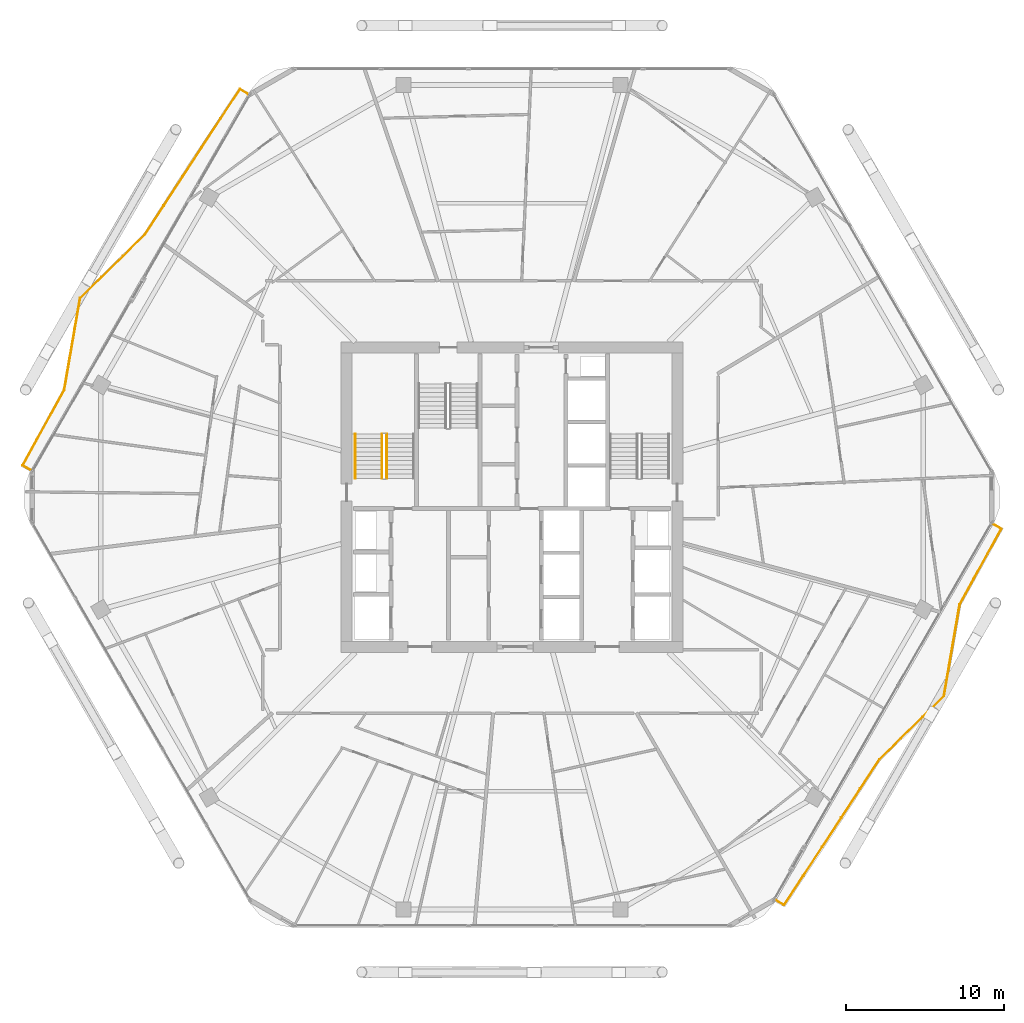
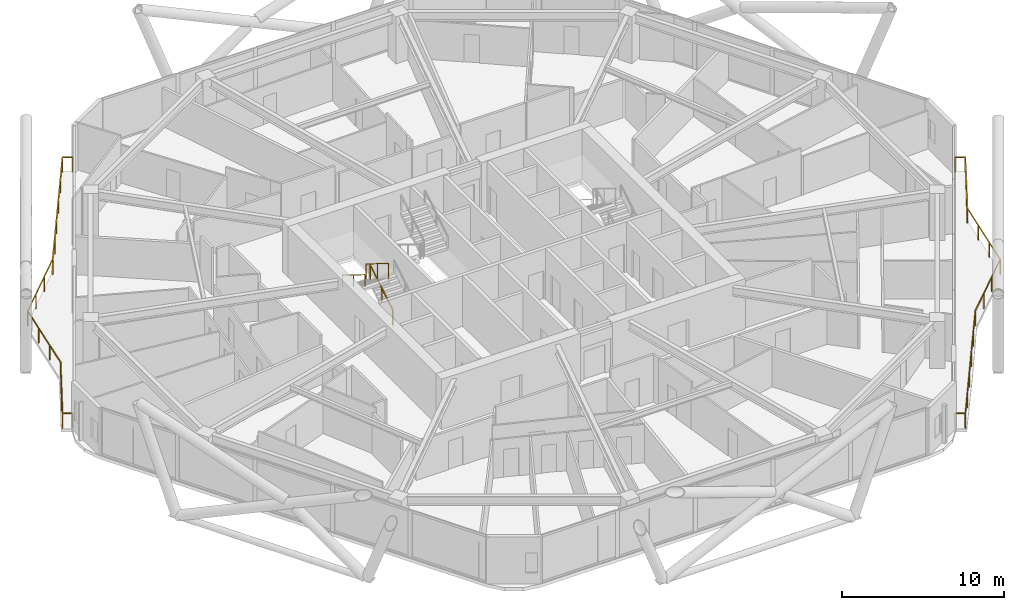
# One storey, part 27 of 28: 5 railings.
"""IFC4 building model written with IfcOpenShell, lengths in metres."""

from ifc_helpers import new_model, si_unit, direction, frame, origin, origin_2d, place, context, subcontext, project, spatial, rectangle, extrude, material, type_object, element, save


model = new_model("IFC4")

# Units and contexts
model_context = context("Model", 3, precision=1e-05, world=origin(), true_north=direction((0.0, 1.0)))
body_context = subcontext(model_context, "Body", "Model", "MODEL_VIEW")
ifc_project = project(units=[si_unit("LENGTHUNIT", "METRE"), si_unit("AREAUNIT", "SQUARE_METRE"), si_unit("VOLUMEUNIT", "CUBIC_METRE"), si_unit("PLANEANGLEUNIT", "RADIAN"), si_unit("MASSUNIT", "GRAM", prefix="KILO")], contexts=[model_context])

# Site, building, storey
site_placement = place(None, origin())
site = spatial("IfcSite", under=ifc_project, at=site_placement, CompositionType="ELEMENT")
building_placement = place(site_placement, origin())
building = spatial("IfcBuilding", under=site, at=building_placement, Name="Zuhravey Tower", CompositionType="ELEMENT")
storey_placement = place(building_placement, frame((0.0, 0.0, 199.800048828125)))
storey = spatial("IfcBuildingStorey", under=building, at=storey_placement, Name="L50", CompositionType="ELEMENT", Elevation=199.800048828125)

# Railings
ifc_material_1 = material(Name="Stainless steel 316 and laminated glass", Category="steel")
railing_type_1 = type_object("IfcRailingType", Name="Balcony & Terrace Guardrail 1150", PredefinedType="BALUSTRADE", material=ifc_material_1)
railing_1_placement = place(storey_placement, frame((5.489990234375, 33.691650390625, 0.0)))
element("IfcRailing", 1, at=railing_1_placement, inside=storey, type_object=railing_type_1, Name="L50 Face 3 Wave Balcony Guardrail GR1", PredefinedType="BALUSTRADE", context=body_context, shape_type="SweptSolid", body=[
    extrude(rectangle(XDim=0.048095703125, YDim=0.048095703125, at=origin_2d()), frame((-0.001708984375, 0.0009765625, 1.1259765625), z_axis=(-0.86596390011, 0.500106512361, 0.0), x_axis=(-0.500106512361, -0.86596390011, 0.0)), (0.0, 0.0, 1.0), 0.637939453125),
    extrude(rectangle(XDim=0.048095703125, YDim=0.048095703125, at=origin_2d()), frame((-0.554931640625, 0.32275390625, 1.1259765625), z_axis=(0.481913615275, 0.87621873263, 0.0), x_axis=(-0.87621873263, 0.481913615275, 0.0)), (0.0, 0.0, 1.0), 5.471923828125),
    extrude(rectangle(XDim=0.048095703125, YDim=0.048095703125, at=origin_2d()), frame((2.083251953125, 5.12109375, 1.1259765625), z_axis=(0.170222590853, 0.985405637067, 0.0), x_axis=(-0.985405637067, 0.170222590853, 0.0)), (0.0, 0.0, 1.0), 5.90087890625),
    extrude(rectangle(XDim=0.048095703125, YDim=0.048095703125, at=origin_2d()), frame((3.089599609375, 10.939208984375, 1.1259765625), z_axis=(0.713473578021, 0.700682134399, 0.0), x_axis=(-0.700682134399, 0.713473578021, 0.0)), (0.0, 0.0, 1.0), 5.740966796875),
    extrude(rectangle(XDim=0.048095703125, YDim=0.048095703125, at=origin_2d()), frame((7.18798828125, 14.96484375, 1.1259765625), z_axis=(0.547194570371, 0.837005437352, 0.0), x_axis=(-0.837005437352, 0.547194570371, 0.0)), (0.0, 0.0, 1.0), 11.040771484375),
    extrude(rectangle(XDim=0.048095703125, YDim=0.048095703125, at=origin_2d()), frame((13.232421875, 24.206787109375, 1.1259765625), z_axis=(0.865977846834, -0.500082362009, 0.0), x_axis=(0.500082362009, 0.865977846834, 0.0)), (0.0, 0.0, 1.0), 0.641845703125),
    extrude(rectangle(XDim=0.0419921875, YDim=0.0419921875, at=origin_2d()), origin(), (0.0, 0.0, 1.0), 1.099853515625),
    extrude(rectangle(XDim=0.0419921875, YDim=0.0419921875, at=origin_2d()), frame((-0.555908203125, 0.321044921875, 0.0)), (0.0, 0.0, 1.0), 1.099853515625),
    extrude(rectangle(XDim=0.0419921875, YDim=0.0419921875, at=origin_2d()), frame((0.32373046875, 1.92041015625, 0.0)), (0.0, 0.0, 1.0), 1.099853515625),
    extrude(rectangle(XDim=0.0419921875, YDim=0.0419921875, at=origin_2d()), frame((1.203369140625, 3.519775390625, 0.0)), (0.0, 0.0, 1.0), 1.099853515625),
    extrude(rectangle(XDim=0.0419921875, YDim=0.0419921875, at=origin_2d()), frame((2.0830078125, 5.119140625, 0.0)), (0.0, 0.0, 1.0), 1.099853515625),
    extrude(rectangle(XDim=0.0419921875, YDim=0.0419921875, at=origin_2d()), frame((2.41796875, 7.05859375, 0.0)), (0.0, 0.0, 1.0), 1.099853515625),
    extrude(rectangle(XDim=0.0419921875, YDim=0.0419921875, at=origin_2d()), frame((2.753173828125, 8.998291015625, 0.0)), (0.0, 0.0, 1.0), 1.099853515625),
    extrude(rectangle(XDim=0.0419921875, YDim=0.0419921875, at=origin_2d()), frame((3.088134765625, 10.937744140625, 0.0)), (0.0, 0.0, 1.0), 1.099853515625),
    extrude(rectangle(XDim=0.0419921875, YDim=0.0419921875, at=origin_2d()), frame((4.454345703125, 12.279541015625, 0.0)), (0.0, 0.0, 1.0), 1.099853515625),
    extrude(rectangle(XDim=0.0419921875, YDim=0.0419921875, at=origin_2d()), frame((5.82080078125, 13.621337890625, 0.0)), (0.0, 0.0, 1.0), 1.099853515625),
    extrude(rectangle(XDim=0.0419921875, YDim=0.0419921875, at=origin_2d()), frame((7.18701171875, 14.963134765625, 0.0)), (0.0, 0.0, 1.0), 1.099853515625),
    extrude(rectangle(XDim=0.0419921875, YDim=0.0419921875, at=origin_2d()), frame((8.395751953125, 16.81201171875, 0.0)), (0.0, 0.0, 1.0), 1.099853515625),
    extrude(rectangle(XDim=0.0419921875, YDim=0.0419921875, at=origin_2d()), frame((9.6044921875, 18.660888671875, 0.0)), (0.0, 0.0, 1.0), 1.099853515625),
    extrude(rectangle(XDim=0.0419921875, YDim=0.0419921875, at=origin_2d()), frame((10.813232421875, 20.510009765625, 0.0)), (0.0, 0.0, 1.0), 1.099853515625),
    extrude(rectangle(XDim=0.0419921875, YDim=0.0419921875, at=origin_2d()), frame((12.02197265625, 22.35888671875, 0.0)), (0.0, 0.0, 1.0), 1.099853515625),
    extrude(rectangle(XDim=0.0419921875, YDim=0.0419921875, at=origin_2d()), frame((13.230712890625, 24.207763671875, 0.0)), (0.0, 0.0, 1.0), 1.099853515625),
    extrude(rectangle(XDim=0.0419921875, YDim=0.0419921875, at=origin_2d()), frame((13.7900390625, 23.884765625, 0.0)), (0.0, 0.0, 1.0), 1.099853515625),
])
railing_2_placement = place(storey_placement, frame((66.510009765625, 30.308349609375, 0.0)))
element("IfcRailing", 2, at=railing_2_placement, inside=storey, type_object=railing_type_1, Name="L50 Face 6 Wave Balcony Guardrail GR1", PredefinedType="BALUSTRADE", context=body_context, shape_type="SweptSolid", body=[
    extrude(rectangle(XDim=0.048095703125, YDim=0.048095703125, at=origin_2d()), frame((0.001708984375, -0.0009765625, 1.1259765625), z_axis=(0.86596390011, -0.500106512361, 0.0), x_axis=(0.500106512361, 0.86596390011, 0.0)), (0.0, 0.0, 1.0), 0.637939453125),
    extrude(rectangle(XDim=0.048095703125, YDim=0.048095703125, at=origin_2d()), frame((0.554931640625, -0.32275390625, 1.1259765625), z_axis=(-0.481913615275, -0.87621873263, 0.0), x_axis=(0.87621873263, -0.481913615275, 0.0)), (0.0, 0.0, 1.0), 5.471923828125),
    extrude(rectangle(XDim=0.048095703125, YDim=0.048095703125, at=origin_2d()), frame((-2.083251953125, -5.12109375, 1.1259765625), z_axis=(-0.170222590853, -0.985405637067, 0.0), x_axis=(0.985405637067, -0.170222590853, 0.0)), (0.0, 0.0, 1.0), 5.90087890625),
    extrude(rectangle(XDim=0.048095703125, YDim=0.048095703125, at=origin_2d()), frame((-3.089599609375, -10.939208984375, 1.1259765625), z_axis=(-0.713473578021, -0.700682134399, 0.0), x_axis=(0.700682134399, -0.713473578021, 0.0)), (0.0, 0.0, 1.0), 5.740966796875),
    extrude(rectangle(XDim=0.048095703125, YDim=0.048095703125, at=origin_2d()), frame((-7.18798828125, -14.96484375, 1.1259765625), z_axis=(-0.547194570371, -0.837005437352, 0.0), x_axis=(0.837005437352, -0.547194570371, 0.0)), (0.0, 0.0, 1.0), 11.040771484375),
    extrude(rectangle(XDim=0.048095703125, YDim=0.048095703125, at=origin_2d()), frame((-13.232421875, -24.206787109375, 1.1259765625), z_axis=(-0.865977846834, 0.500082362009, 0.0), x_axis=(-0.500082362009, -0.865977846834, 0.0)), (0.0, 0.0, 1.0), 0.641845703125),
    extrude(rectangle(XDim=0.0419921875, YDim=0.0419921875, at=origin_2d()), origin(), (0.0, 0.0, 1.0), 1.099853515625),
    extrude(rectangle(XDim=0.0419921875, YDim=0.0419921875, at=origin_2d()), frame((0.555908203125, -0.321044921875, 0.0)), (0.0, 0.0, 1.0), 1.099853515625),
    extrude(rectangle(XDim=0.0419921875, YDim=0.0419921875, at=origin_2d()), frame((-0.32373046875, -1.92041015625, 0.0)), (0.0, 0.0, 1.0), 1.099853515625),
    extrude(rectangle(XDim=0.0419921875, YDim=0.0419921875, at=origin_2d()), frame((-1.203369140625, -3.519775390625, 0.0)), (0.0, 0.0, 1.0), 1.099853515625),
    extrude(rectangle(XDim=0.0419921875, YDim=0.0419921875, at=origin_2d()), frame((-2.0830078125, -5.119140625, 0.0)), (0.0, 0.0, 1.0), 1.099853515625),
    extrude(rectangle(XDim=0.0419921875, YDim=0.0419921875, at=origin_2d()), frame((-2.41796875, -7.05859375, 0.0)), (0.0, 0.0, 1.0), 1.099853515625),
    extrude(rectangle(XDim=0.0419921875, YDim=0.0419921875, at=origin_2d()), frame((-2.753173828125, -8.998291015625, 0.0)), (0.0, 0.0, 1.0), 1.099853515625),
    extrude(rectangle(XDim=0.0419921875, YDim=0.0419921875, at=origin_2d()), frame((-3.088134765625, -10.937744140625, 0.0)), (0.0, 0.0, 1.0), 1.099853515625),
    extrude(rectangle(XDim=0.0419921875, YDim=0.0419921875, at=origin_2d()), frame((-4.454345703125, -12.279541015625, 0.0)), (0.0, 0.0, 1.0), 1.099853515625),
    extrude(rectangle(XDim=0.0419921875, YDim=0.0419921875, at=origin_2d()), frame((-5.82080078125, -13.621337890625, 0.0)), (0.0, 0.0, 1.0), 1.099853515625),
    extrude(rectangle(XDim=0.0419921875, YDim=0.0419921875, at=origin_2d()), frame((-7.18701171875, -14.963134765625, 0.0)), (0.0, 0.0, 1.0), 1.099853515625),
    extrude(rectangle(XDim=0.0419921875, YDim=0.0419921875, at=origin_2d()), frame((-8.395751953125, -16.81201171875, 0.0)), (0.0, 0.0, 1.0), 1.099853515625),
    extrude(rectangle(XDim=0.0419921875, YDim=0.0419921875, at=origin_2d()), frame((-9.6044921875, -18.660888671875, 0.0)), (0.0, 0.0, 1.0), 1.099853515625),
    extrude(rectangle(XDim=0.0419921875, YDim=0.0419921875, at=origin_2d()), frame((-10.813232421875, -20.510009765625, 0.0)), (0.0, 0.0, 1.0), 1.099853515625),
    extrude(rectangle(XDim=0.0419921875, YDim=0.0419921875, at=origin_2d()), frame((-12.02197265625, -22.35888671875, 0.0)), (0.0, 0.0, 1.0), 1.099853515625),
    extrude(rectangle(XDim=0.0419921875, YDim=0.0419921875, at=origin_2d()), frame((-13.230712890625, -24.207763671875, 0.0)), (0.0, 0.0, 1.0), 1.099853515625),
    extrude(rectangle(XDim=0.0419921875, YDim=0.0419921875, at=origin_2d()), frame((-13.7900390625, -23.884765625, 0.0)), (0.0, 0.0, 1.0), 1.099853515625),
])
ifc_material_2 = material(Name="Brushed stainless steel", Category="steel")
railing_type_2 = type_object("IfcRailingType", Name="Stair Wall Handrail 900", PredefinedType="HANDRAIL", material=ifc_material_2)
railing_3_placement = place(storey_placement, frame((26.050048828125, 36.0, 2.07275390625)))
element("IfcRailing", 3, at=railing_3_placement, inside=storey, type_object=railing_type_2, Name="L50 ST1 stair handrail 2", PredefinedType="HANDRAIL", context=body_context, shape_type="SweptSolid", body=[
    extrude(rectangle(XDim=0.048095703125, YDim=0.048095703125, at=origin_2d()), frame((0.0, -0.001708984375, 0.876953125), z_axis=(0.0, -0.851089632645, 0.525020415988), x_axis=(1.0, 0.0, 0.0)), (0.0, 0.0, 1.0), 3.285888671875),
    extrude(rectangle(XDim=0.0419921875, YDim=0.0419921875, at=origin_2d()), origin(), (0.0, 0.0, 1.0), 0.849853515625),
    extrude(rectangle(XDim=0.0419921875, YDim=0.0419921875, at=origin_2d()), frame((0.0, -1.39990234375, 0.86376953125)), (0.0, 0.0, 1.0), 0.849853515625),
    extrude(rectangle(XDim=0.0419921875, YDim=0.0419921875, at=origin_2d()), frame((0.0, -2.800048828125, 1.727294921875)), (0.0, 0.0, 1.0), 0.849853515625),
])
ifc_material_3 = material(Name="Painted tubular steel", Category="steel")
railing_type_3 = type_object("IfcRailingType", Name="Stair Well Guardrail 1150", PredefinedType="GUARDRAIL", material=ifc_material_3)
railing_4_placement = place(storey_placement, frame((28.050048828125, 33.199951171875, 0.172607421875)))
element("IfcRailing", 4, at=railing_4_placement, inside=storey, type_object=railing_type_3, Name="L50 ST1 stair guard 1", PredefinedType="GUARDRAIL", context=body_context, shape_type="SweptSolid", body=[
    extrude(rectangle(XDim=0.048095703125, YDim=0.048095703125, at=origin_2d()), frame((0.0, 0.001708984375, 1.126953125), z_axis=(0.0, 0.851089632645, 0.525020415988), x_axis=(-1.0, 0.0, 0.0)), (0.0, 0.0, 1.0), 3.285888671875),
    extrude(rectangle(XDim=0.0419921875, YDim=0.0419921875, at=origin_2d()), origin(), (0.0, 0.0, 1.0), 1.099853515625),
    extrude(rectangle(XDim=0.0419921875, YDim=0.0419921875, at=origin_2d()), frame((0.0, 1.39990234375, 0.86376953125)), (0.0, 0.0, 1.0), 1.099853515625),
    extrude(rectangle(XDim=0.0419921875, YDim=0.0419921875, at=origin_2d()), frame((0.0, 2.800048828125, 1.727294921875)), (0.0, 0.0, 1.0), 1.099853515625),
])
railing_5_placement = place(storey_placement, frame((27.75, 36.0, 2.07275390625)))
element("IfcRailing", 5, at=railing_5_placement, inside=storey, type_object=railing_type_3, Name="L50 ST1 stair guard 3", PredefinedType="GUARDRAIL", context=body_context, shape_type="SweptSolid", body=[
    extrude(rectangle(XDim=0.048095703125, YDim=0.048095703125, at=origin_2d()), frame((0.0, -0.001708984375, 1.126953125), z_axis=(0.0, -0.851089632645, 0.525020415988), x_axis=(1.0, 0.0, 0.0)), (0.0, 0.0, 1.0), 3.285888671875),
    extrude(rectangle(XDim=0.0419921875, YDim=0.0419921875, at=origin_2d()), origin(), (0.0, 0.0, 1.0), 1.099853515625),
    extrude(rectangle(XDim=0.0419921875, YDim=0.0419921875, at=origin_2d()), frame((0.0, -1.39990234375, 0.86376953125)), (0.0, 0.0, 1.0), 1.099853515625),
    extrude(rectangle(XDim=0.0419921875, YDim=0.0419921875, at=origin_2d()), frame((0.0, -2.800048828125, 1.727294921875)), (0.0, 0.0, 1.0), 1.099853515625),
])

save(model, "model.ifc")
